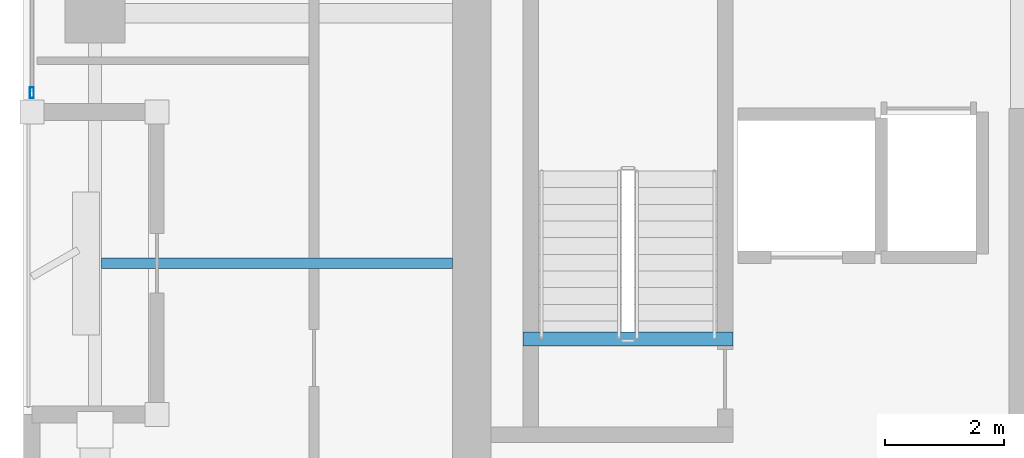
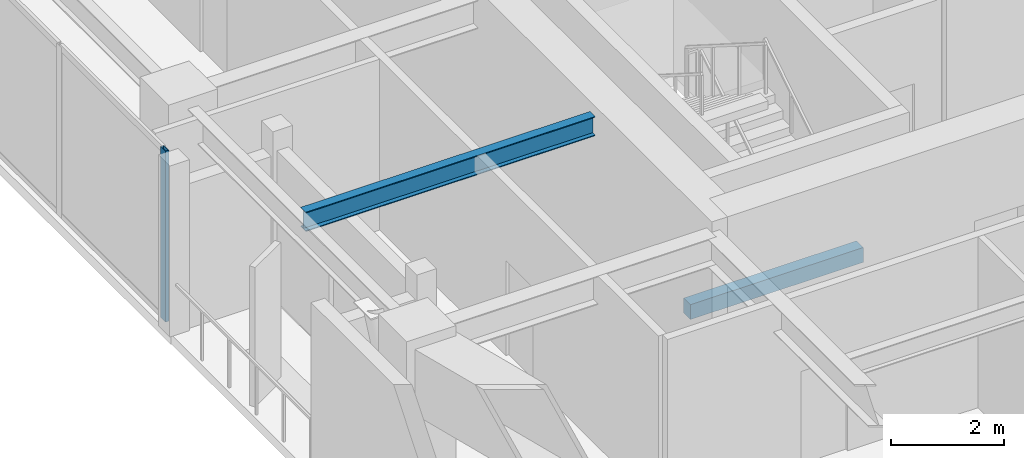
# One storey, part 2 of 21: 2 beams, 1 member, 1 element without a shape of its own.
"""IFC4 building model written with IfcOpenShell, lengths in metres."""

from ifc_helpers import new_model, si_unit, direction, frame, origin, origin_2d, place, context, subcontext, project, spatial, rectangle, hollow_rectangle, i_section, extrude, material, layer, layer_set, material_profile, profile_set, type_object, element, aggregate, save


model = new_model("IFC4")

# Units and contexts
model_context = context("Model", 3, precision=1e-05, world=origin(), true_north=direction((0.0, 1.0)))
body_context = subcontext(model_context, "Body", "Model", "MODEL_VIEW")
ifc_project = project(units=[si_unit("LENGTHUNIT", "METRE"), si_unit("AREAUNIT", "SQUARE_METRE"), si_unit("VOLUMEUNIT", "CUBIC_METRE"), si_unit("PLANEANGLEUNIT", "RADIAN"), si_unit("MASSUNIT", "GRAM", prefix="KILO")], contexts=[model_context])

# Site, building, storey
site_placement = place(None, origin())
site = spatial("IfcSite", under=ifc_project, at=site_placement, CompositionType="ELEMENT")
building_placement = place(site_placement, origin())
building = spatial("IfcBuilding", under=site, at=building_placement, Name="Kiyonajd Concourse Tower", CompositionType="ELEMENT")
storey_placement = place(building_placement, frame((0.0, 0.0, 247.199951171875)))
storey = spatial("IfcBuildingStorey", under=building, at=storey_placement, Name="L62", CompositionType="ELEMENT", Elevation=247.199951171875)

# Beams
ifc_material_1 = material(Name="Steel ASTM A992 Grade 50", Category="steel")
ifc_material_profile_1 = material_profile(ifc_material_1, i_section(OverallWidth=0.180908203125, OverallDepth=0.4169921875, WebThickness=0.010986328125, FlangeThickness=0.018310546875, at=origin_2d()), Name="W410X85")
ifc_profile_set_1 = profile_set([ifc_material_profile_1], Name="Steel ASTM A992 Grade 50")
beam_type_1 = type_object("IfcBeamType", Name="BM-JST-410", PredefinedType="JOIST", material=ifc_profile_set_1)
beam_1_placement = place(storey_placement, frame((26.507080078125, 31.800048828125, 3.471435546875), z_axis=(1.0, 0.0, 0.0), x_axis=(0.0, 1.0, 0.0)))
element("IfcBeam", 1, at=beam_1_placement, inside=storey, type_object=beam_type_1, Name="L62 West Secondary Floor Joist", PredefinedType="JOIST", context=body_context, shape_type="SweptSolid", body=[
    extrude(i_section(OverallWidth=0.180908203125, OverallDepth=0.4169921875, WebThickness=0.010986328125, FlangeThickness=0.018310546875, at=origin_2d()), origin(), (0.0, 0.0, 1.0), 5.892822265625),
])
ifc_material_2 = material(Name="Concrete C50/60", Category="concrete")
ifc_material_profile_2 = material_profile(ifc_material_2, rectangle(XDim=0.239990234375, YDim=0.320068359375, at=origin_2d()), Name="RCBM-240x320")
ifc_profile_set_2 = profile_set([ifc_material_profile_2], Name="Concrete C50/60")
beam_type_2 = type_object("IfcBeamType", Name="BM-LNT-250", PredefinedType="LINTEL", material=ifc_profile_set_2)
beam_2_placement = place(storey_placement, frame((33.590087890625, 30.530029296875, -0.159912109375), z_axis=(1.0, 0.0, 0.0), x_axis=(0.0, 1.0, 0.0)))
element("IfcBeam", 2, at=beam_2_placement, inside=storey, type_object=beam_type_2, Name="L62 Stair ST1 Threshold Support Beam", PredefinedType="LINTEL", context=body_context, shape_type="SweptSolid", body=[
    extrude(rectangle(XDim=0.239990234375, YDim=0.320068359375, at=origin_2d()), origin(), (0.0, 0.0, 1.0), 3.52001953125),
])

# Curtain wall, member
ifc_material_3 = material(Name="Thermally Broken Anodised Aluminium", Category="aluminium")
ifc_layer = layer(ifc_material_3, 0.179931640625)
ifc_layer_set = layer_set([ifc_layer], Name="Thermally Broken Anodised Aluminium")
curtain_wall_type = type_object("IfcCurtainWallType", Name="CW-SYS-04", PredefinedType="NOTDEFINED", material=ifc_layer_set)
curtain_wall_placement = place(storey_placement, origin())
curtain_wall = element("IfcCurtainWall", 3, at=curtain_wall_placement, inside=storey, type_object=curtain_wall_type, Name="L62 Unitised Curtain Wall CW4", PredefinedType="NOTDEFINED")
ifc_material_profile_3 = material_profile(ifc_material_3, hollow_rectangle(XDim=0.06494140625, YDim=0.179931640625, WallThickness=0.00390625, at=origin_2d()), Name="MULL-65x180")
ifc_profile_set_3 = profile_set([ifc_material_profile_3], Name="Thermally Broken Anodised Aluminium")
member_type = type_object("IfcMemberType", Name="MB-CW-MULL1", PredefinedType="MULLION", material=ifc_profile_set_3)
member_placement = place(storey_placement, frame((25.340087890625, 34.66259765625, 0.0), z_axis=(0.0, 0.0, 1.0), x_axis=(-1.0, 0.0, 0.0)))
member = element("IfcMember", 4, at=member_placement, type_object=member_type, Name="CW4 mullion 1", PredefinedType="MULLION", context=body_context, shape_type="SweptSolid", body=[
    extrude(hollow_rectangle(XDim=0.06494140625, YDim=0.179931640625, WallThickness=0.00390625, at=origin_2d()), origin(), (0.0, 0.0, 1.0), 3.679931640625),
])
aggregate(curtain_wall, [member])

save(model, "model.ifc")
